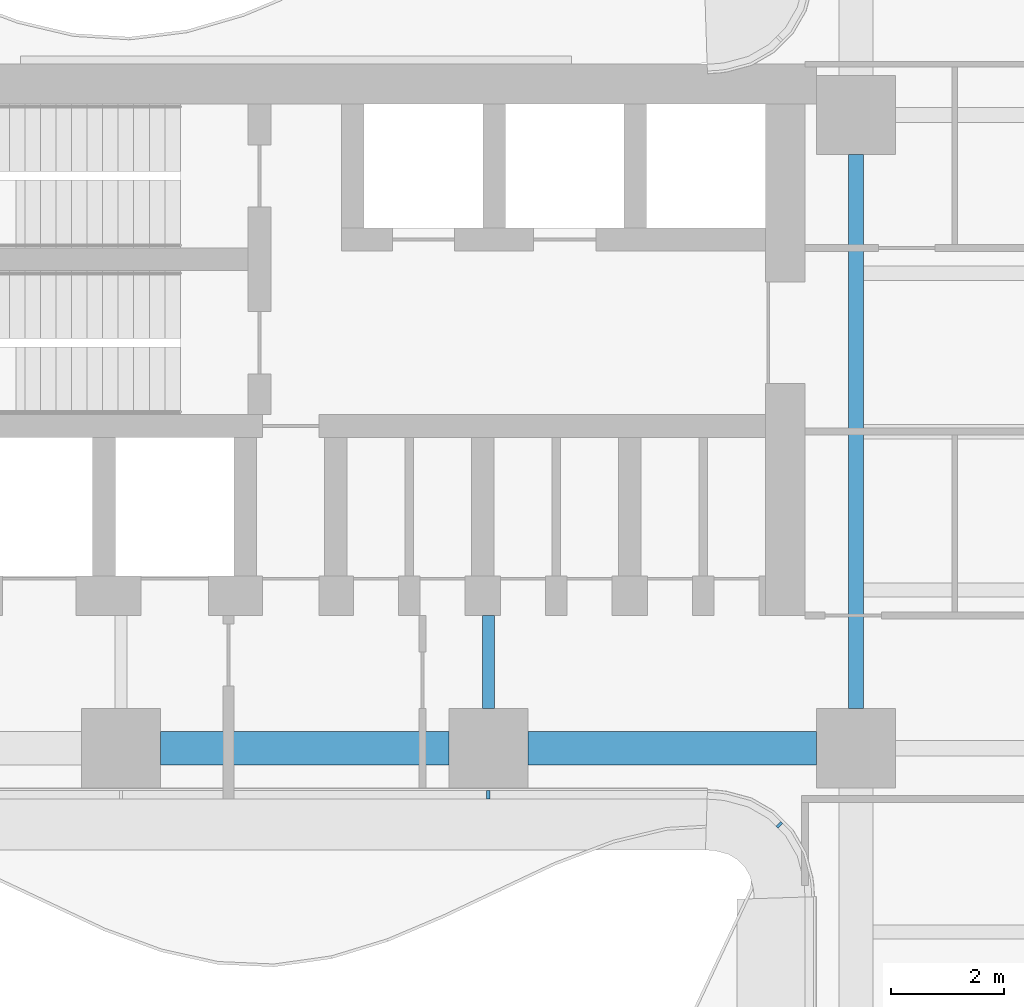
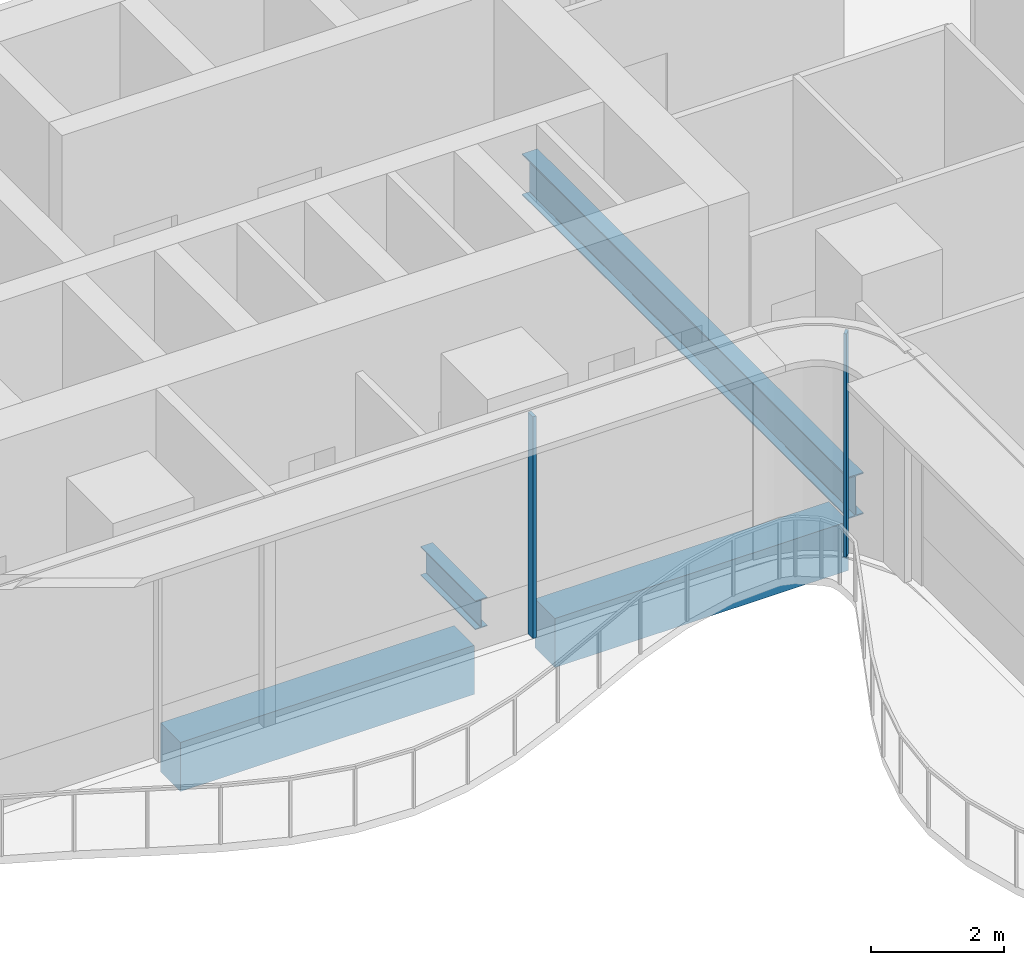
# One storey, part 4 of 23: 4 beams, 2 members, 2 elements without a shape of their own.
"""IFC4 building model written with IfcOpenShell, lengths in metres."""

from ifc_helpers import new_model, si_unit, direction, frame, origin, origin_2d, place, context, subcontext, project, spatial, rectangle, i_section, extrude, source, transform, mapped, material, layer, layer_set, material_profile, profile_set, type_object, element, aggregate, save


model = new_model("IFC4")

# Units and contexts
model_context = context("Model", 3, precision=1e-05, world=origin(), true_north=direction((0.0, 1.0)))
body_context = subcontext(model_context, "Body", "Model", "MODEL_VIEW")
ifc_project = project(units=[si_unit("LENGTHUNIT", "METRE"), si_unit("AREAUNIT", "SQUARE_METRE"), si_unit("VOLUMEUNIT", "CUBIC_METRE"), si_unit("PLANEANGLEUNIT", "RADIAN"), si_unit("MASSUNIT", "GRAM", prefix="KILO")], contexts=[model_context])

# Site, building, storey
site_placement = place(None, origin())
site = spatial("IfcSite", under=ifc_project, at=site_placement, CompositionType="ELEMENT")
building_placement = place(site_placement, origin())
building = spatial("IfcBuilding", under=site, at=building_placement, Name="Trellis Farm Tower", CompositionType="ELEMENT")
storey_placement = place(building_placement, frame((0.0, 0.0, 74.5)))
storey = spatial("IfcBuildingStorey", under=building, at=storey_placement, Name="L15", CompositionType="ELEMENT", Elevation=74.5)

# Beams
ifc_material_1 = material(Name="Concrete C60/75", Category="concrete")
ifc_material_profile_1 = material_profile(ifc_material_1, rectangle(XDim=0.60009765625, YDim=0.89990234375, at=origin_2d()), Name="RC spandrel beam 600x900 C60/75")
ifc_profile_set_1 = profile_set([ifc_material_profile_1], Name="Concrete C60/75")
beam_type_1 = type_object("IfcBeamType", Name="RC spandrel beam 600x900 C60/75", PredefinedType="SPANDREL", material=ifc_profile_set_1)
shared_shape_1 = source(origin(), body_context, "Body", "SweptSolid", [
    extrude(rectangle(XDim=0.60009765625, YDim=0.89990234375, at=origin_2d()), origin(), (0.0, 0.0, 1.0), 5.099853515625),
])
for number, where, z_axis, x_axis, name in (
    (1, (-17.89990234375, -5.60009765625, -0.699951171875), (1.0, 0.0, 0.0), (0.0, 1.0, 0.0), "Girder"),
    (2, (-11.39990234375, -5.60009765625, -0.699951171875), (1.0, 0.0, 0.0), (0.0, 1.0, 0.0), "Girder"),
):
    element("IfcBeam", number, at=place(storey_placement, frame(where, z_axis=z_axis, x_axis=x_axis)), inside=storey, type_object=beam_type_1, Name=name, PredefinedType="SPANDREL", context=body_context, shape_type="MappedRepresentation", body=[
        mapped(shared_shape_1, transform((0.0, 0.0, 0.0))),
    ])
ifc_material_2 = material(Name="Steel S355", Category="steel")
ifc_material_profile_2 = material_profile(ifc_material_2, i_section(OverallWidth=0.2666015625, OverallDepth=0.76220703125, WebThickness=0.014404296875, FlangeThickness=0.021484375, FilletRadius=0.0166015625, at=origin_2d()), Name="UB 762x267x173")
ifc_profile_set_2 = profile_set([ifc_material_profile_2], Name="Steel S355")
beam_type_2 = type_object("IfcBeamType", Name="UB 762x267x173", PredefinedType="BEAM", material=ifc_profile_set_2)
shared_shape_2 = source(origin(), body_context, "Body", "SweptSolid", [
    extrude(i_section(OverallWidth=0.2666015625, OverallDepth=0.76220703125, WebThickness=0.014404296875, FlangeThickness=0.021484375, FilletRadius=0.0166015625, at=origin_2d()), origin(), (0.0, 0.0, 1.0), 9.7998046875),
])
beam_1_placement = place(storey_placement, frame((-5.60009765625, -4.89990234375, -0.631103515625), z_axis=(0.0, 1.0, 0.0), x_axis=(-1.0, 0.0, 0.0)))
element("IfcBeam", 3, at=beam_1_placement, inside=storey, type_object=beam_type_2, Name="Girder", PredefinedType="BEAM", context=body_context, shape_type="MappedRepresentation", body=[
    mapped(shared_shape_2, transform((0.0, 0.0, 0.0))),
])
ifc_material_profile_3 = material_profile(ifc_material_2, i_section(OverallWidth=0.209228515625, OverallDepth=0.533203125, WebThickness=0.010009765625, FlangeThickness=0.015625, FilletRadius=0.0126953125, at=origin_2d()), Name="UB 533x210x92")
ifc_profile_set_3 = profile_set([ifc_material_profile_3], Name="Steel S355")
beam_type_3 = type_object("IfcBeamType", Name="UB 533x210x92", PredefinedType="BEAM", material=ifc_profile_set_3)
shared_shape_3 = source(origin(), body_context, "Body", "SweptSolid", [
    extrude(i_section(OverallWidth=0.209228515625, OverallDepth=0.533203125, WebThickness=0.010009765625, FlangeThickness=0.015625, FilletRadius=0.0126953125, at=origin_2d()), origin(), (0.0, 0.0, 1.0), 1.64990234375),
])
beam_2_placement = place(storey_placement, frame((-12.10009765625, -4.89990234375, -0.5166015625), z_axis=(0.0, 1.0, 0.0), x_axis=(-1.0, 0.0, 0.0)))
element("IfcBeam", 4, at=beam_2_placement, inside=storey, type_object=beam_type_3, Name="Girder", PredefinedType="BEAM", context=body_context, shape_type="MappedRepresentation", body=[
    mapped(shared_shape_3, transform((0.0, 0.0, 0.0))),
])

# Curtain wall, member
ifc_material_3 = material(Name="Aluminium and glass curtain wall", Category="aluminium")
ifc_layer_1 = layer(ifc_material_3, 0.18994140625)
ifc_layer_set_1 = layer_set([ifc_layer_1], Name="RIBBON CURTAIN WALL CW1")
curtain_wall_type_1 = type_object("IfcCurtainWallType", Name="RIBBON CURTAIN WALL CW1", PredefinedType="NOTDEFINED", material=ifc_layer_set_1)
placement = place(storey_placement, origin())
curtain_wall_1 = element("IfcCurtainWall", 5, at=placement, inside=storey, type_object=curtain_wall_type_1, Name="CW1 001", PredefinedType="NOTDEFINED")
ifc_material_4 = material(Name="Aluminium extrusion 6063-T6", Category="aluminium")
ifc_material_profile_4 = material_profile(ifc_material_4, rectangle(XDim=0.06005859375, YDim=0.14990234375, at=origin_2d()), Name="MULLION 60x150")
ifc_profile_set_4 = profile_set([ifc_material_profile_4], Name="Aluminium extrusion 6063-T6")
member_type_1 = type_object("IfcMemberType", Name="CW1 MULLION 60x150", PredefinedType="MULLION", material=ifc_profile_set_4)
shared_shape_4 = source(origin(), body_context, "Body", "SweptSolid", [
    extrude(rectangle(XDim=0.06005859375, YDim=0.14990234375, at=origin_2d()), origin(), (0.0, 0.0, 1.0), 4.070068359375),
])
member_1_placement = place(storey_placement, frame((-12.10009765625, -6.425048828125, 0.0), z_axis=(0.0, 0.0, 1.0), x_axis=(1.0, 0.0, 0.0)))
member_1 = element("IfcMember", 6, at=member_1_placement, type_object=member_type_1, Name="MU1 001-03", PredefinedType="MULLION", context=body_context, shape_type="MappedRepresentation", body=[
    mapped(shared_shape_4, transform((0.0, 0.0, 0.0))),
])
aggregate(curtain_wall_1, [member_1])

ifc_layer_2 = layer(ifc_material_3, 0.166015625)
ifc_layer_set_2 = layer_set([ifc_layer_2], Name="WINTER GARDEN CURTAIN WALL CW3")
curtain_wall_type_2 = type_object("IfcCurtainWallType", Name="WINTER GARDEN CURTAIN WALL CW3", PredefinedType="NOTDEFINED", material=ifc_layer_set_2)
curtain_wall_2 = element("IfcCurtainWall", 7, at=placement, inside=storey, type_object=curtain_wall_type_2, Name="CW3 001", PredefinedType="NOTDEFINED")
ifc_material_profile_5 = material_profile(ifc_material_4, rectangle(XDim=0.050048828125, YDim=0.1201171875, at=origin_2d()), Name="MULLION 50x120")
ifc_profile_set_5 = profile_set([ifc_material_profile_5], Name="Aluminium extrusion 6063-T6")
member_type_2 = type_object("IfcMemberType", Name="CW3 MULLION 50x120", PredefinedType="MULLION", material=ifc_profile_set_5)
shared_shape_5 = source(origin(), body_context, "Body", "SweptSolid", [
    extrude(rectangle(XDim=0.050048828125, YDim=0.1201171875, at=origin_2d()), origin(), (0.0, 0.0, 1.0), 4.10009765625),
])
member_2_placement = place(storey_placement, frame((-6.953125, -6.953125, 0.0), z_axis=(0.0, 0.0, 1.0), x_axis=(0.707106781187, -0.707106781187, 0.0)))
member_2 = element("IfcMember", 8, at=member_2_placement, type_object=member_type_2, Name="MU3 001-01", PredefinedType="MULLION", context=body_context, shape_type="MappedRepresentation", body=[
    mapped(shared_shape_5, transform((0.0, 0.0, 0.0))),
])
aggregate(curtain_wall_2, [member_2])

save(model, "model.ifc")
